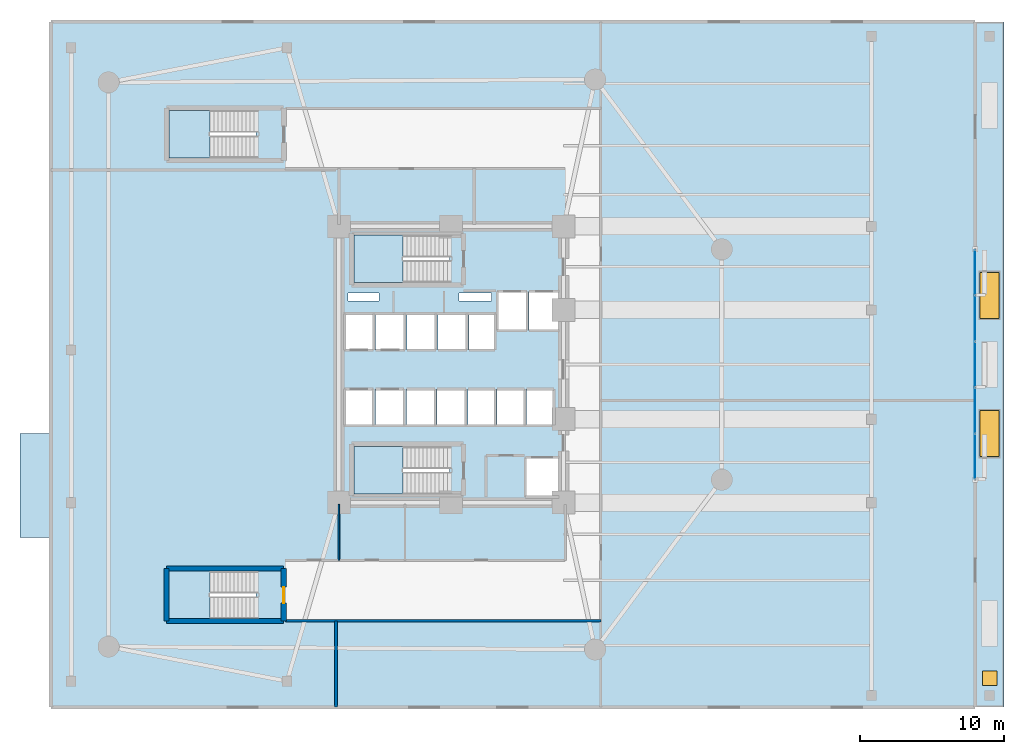
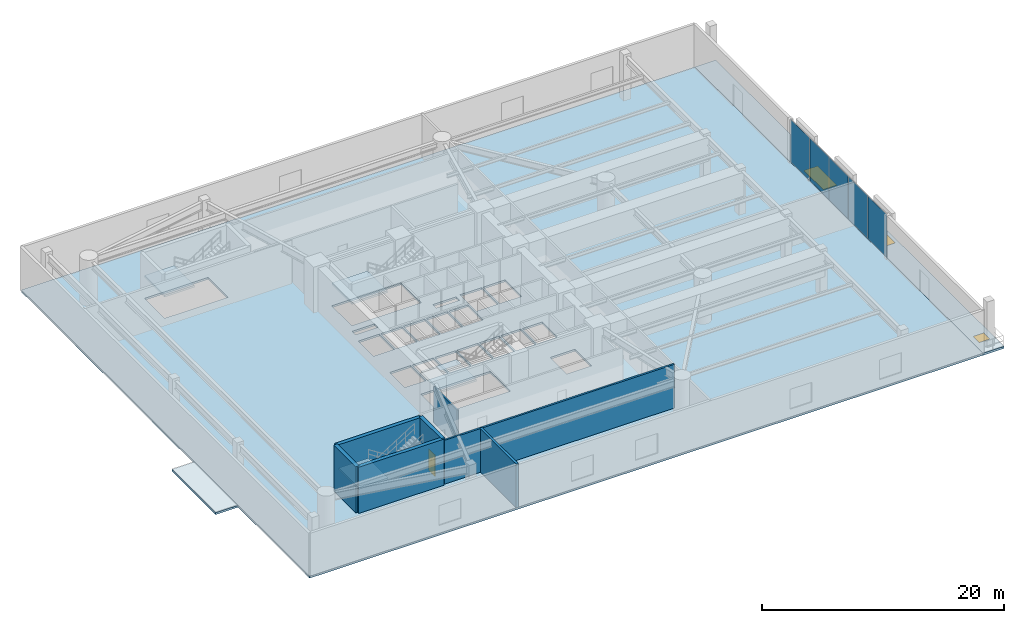
# One storey, part 4 of 11: 7 slabs, 7 walls, 5 plates, 2 doors, 2 windows, 4 openings, 5 elements without a shape of their own.
"""IFC4 building model written with IfcOpenShell, lengths in metres."""

import ifcopenshell
import ifcopenshell.guid

model = None  # the IFC model being written
_history = None  # IfcOwnerHistory: only IFC2X3 demands one
_inside = {}  # id of a spatial element -> (the spatial element, [elements in it])
_under = {}  # id of a project, library or spatial element -> (it, [spatial elements below it])
_declared = {}  # id of a project -> (the project, [libraries it declares])
_typed = {}  # id of a type object -> (the type object, [elements of that type])
_made_of = {}  # id of a material, layer set ... -> (it, [elements and type objects made of it])


def new_model(schema):
    """Start an empty IFC model of exactly this schema.

    Asked for "IFC4X3", IfcOpenShell would pick the latest addendum, in which some entities
    have other attributes; the version numbers below select the first issue.
    IFC2X3 requires an IfcOwnerHistory on every rooted entity: one is made here for all.
    """
    global model, _history
    if schema == "IFC4X3":
        model = ifcopenshell.file(schema_version=(4, 3, 0, 0))
    else:
        model = ifcopenshell.file(schema=schema)
    _inside.clear()
    _under.clear()
    _declared.clear()
    _typed.clear()
    _made_of.clear()
    _history = None
    if model.schema == "IFC2X3":
        org = make("IfcOrganization", Name="unknown")
        user = make(
            "IfcPersonAndOrganization",
            ThePerson=make("IfcPerson", FamilyName="unknown"),
            TheOrganization=org,
        )
        app = make(
            "IfcApplication",
            ApplicationDeveloper=org,
            Version="unknown",
            ApplicationFullName="unknown",
            ApplicationIdentifier="unknown",
        )
        _history = make(
            "IfcOwnerHistory",
            OwningUser=user,
            OwningApplication=app,
            ChangeAction="ADDED",
            CreationDate=0,
        )
    return model


def make(cls, **values):
    """One entity of the class cls with the attributes given. An attribute that is None is left unset."""
    return model.create_entity(
        cls, **{name: value for name, value in values.items() if value is not None}
    )


def rooted(cls, **values):
    """An entity with a GlobalId (a new one), such as an element, a storey or a relation."""
    return make(cls, GlobalId=ifcopenshell.guid.new(), OwnerHistory=_history, **values)


def si_unit(unit_type, name, prefix=None):
    """IfcSIUnit, for example si_unit("LENGTHUNIT", "METRE", prefix="MILLI")."""
    return make("IfcSIUnit", UnitType=unit_type, Prefix=prefix, Name=name)


def assignment(units):
    """IfcUnitAssignment: the units of a project."""
    return None if units is None else make("IfcUnitAssignment", Units=units)


def point(xyz):
    """IfcCartesianPoint."""
    return None if xyz is None else make("IfcCartesianPoint", Coordinates=xyz)


def direction(xyz):
    """IfcDirection."""
    return None if xyz is None else make("IfcDirection", DirectionRatios=xyz)


def frame(location, z_axis=None, x_axis=None):
    """IfcAxis2Placement3D, a coordinate frame: its origin and axes. An axis left out is left unset."""
    return make(
        "IfcAxis2Placement3D",
        Location=point(location),
        Axis=direction(z_axis),
        RefDirection=direction(x_axis),
    )


def frame_2d(location, x_axis=None):
    """IfcAxis2Placement2D, a coordinate frame in the plane: its origin and x axis."""
    return make(
        "IfcAxis2Placement2D", Location=point(location), RefDirection=direction(x_axis)
    )


def origin():
    """The frame at (0, 0, 0) with its axes left unset."""
    return frame((0.0, 0.0, 0.0))


def origin_2d():
    """The frame at (0, 0) in the plane with its x axis left unset."""
    return frame_2d((0.0, 0.0))


def place(relative_to, where):
    """IfcLocalPlacement: puts the frame where relative to a parent placement (None: the world)."""
    return make(
        "IfcLocalPlacement", PlacementRelTo=relative_to, RelativePlacement=where
    )


def context(
    kind, dimensions, precision=None, world=None, true_north=None, identifier=None
):
    """IfcGeometricRepresentationContext, for example the 3D "Model" context."""
    return make(
        "IfcGeometricRepresentationContext",
        ContextIdentifier=identifier,
        ContextType=kind,
        CoordinateSpaceDimension=dimensions,
        Precision=precision,
        WorldCoordinateSystem=world,
        TrueNorth=true_north,
    )


def subcontext(parent, identifier, kind, view, scale=None):
    """IfcGeometricRepresentationSubContext, for example "Body" below "Model"."""
    return make(
        "IfcGeometricRepresentationSubContext",
        ContextIdentifier=identifier,
        ContextType=kind,
        ParentContext=parent,
        TargetScale=scale,
        TargetView=view,
    )


def project(units=None, contexts=None):
    """IfcProject with its units and contexts."""
    return rooted(
        "IfcProject",
        Name="project",
        RepresentationContexts=contexts,
        UnitsInContext=assignment(units),
    )


def spatial(cls, under=None, at=None, **own):
    """A site, building, storey or space (cls), placed at a placement, below another one or the project."""
    s = rooted(cls, ObjectPlacement=at, **own)
    if under is not None:
        _under.setdefault(under.id(), (under, []))[1].append(s)
    return s


def polyline(points):
    """IfcPolyline through the points."""
    return make("IfcPolyline", Points=[point(p) for p in points])


def profile(cls, at=None, kind="AREA", **sizes):
    """A parametric profile (cls). Its sizes go by their IFC names, for example OverallWidth=200.0."""
    return make(cls, ProfileType=kind, Position=at, **sizes)


def rectangle(**sizes):
    """IfcRectangleProfileDef."""
    return profile("IfcRectangleProfileDef", **sizes)


def outline(outer, holes=None, kind="AREA"):
    """IfcArbitraryClosedProfileDef: a profile drawn as a closed curve; with holes, ...WithVoids."""
    if holes is None:
        return make("IfcArbitraryClosedProfileDef", ProfileType=kind, OuterCurve=outer)
    return make(
        "IfcArbitraryProfileDefWithVoids",
        ProfileType=kind,
        OuterCurve=outer,
        InnerCurves=holes,
    )


def extrude(swept, where, along, depth):
    """IfcExtrudedAreaSolid: the profile swept, set in the frame where, extruded along a direction by depth."""
    return make(
        "IfcExtrudedAreaSolid",
        SweptArea=swept,
        Position=where,
        ExtrudedDirection=direction(along),
        Depth=depth,
    )


def shape(context_of_items, identifier, shape_type, items):
    """IfcShapeRepresentation: the items that make up one representation, for example the "Body"."""
    return make(
        "IfcShapeRepresentation",
        ContextOfItems=context_of_items,
        RepresentationIdentifier=identifier,
        RepresentationType=shape_type,
        Items=items,
    )


def material(Name=None, Category=None):
    """IfcMaterial."""
    return make("IfcMaterial", Name=Name, Category=Category)


def layer(
    of_material, thickness, ventilated=None, Name=None, Category=None, Priority=None
):
    """IfcMaterialLayer: one layer of a wall or slab, of a material (None: an air gap)."""
    return make(
        "IfcMaterialLayer",
        Material=of_material,
        LayerThickness=thickness,
        IsVentilated=ventilated,
        Name=Name,
        Category=Category,
        Priority=Priority,
    )


def layer_set(layers, Name=None):
    """IfcMaterialLayerSet."""
    return make("IfcMaterialLayerSet", MaterialLayers=layers, LayerSetName=Name)


def made_of(thing, what):
    """Note that an element or type object is made of a material, layer set ...; save() writes the relation."""
    if what is not None:
        _made_of.setdefault(what.id(), (what, []))[1].append(thing)
    return thing


def type_object(cls, material=None, **own):
    """A type object (cls), such as IfcWallType, which elements share."""
    return made_of(rooted(cls, **own), material)


def element(
    cls,
    number,
    at=None,
    inside=None,
    cuts=None,
    type_object=None,
    material=None,
    context=None,
    identifier="Body",
    shape_type=None,
    held_by="IfcProductDefinitionShape",
    body=None,
    shapes=None,
    **own,
):
    """One element of the class cls, such as IfcWall. Its Tag is "e" and its number.

    at: its placement. inside: the storey or other place that contains it. cuts: it is an
    opening in that element (IfcRelVoidsElement). A single representation is given by context,
    identifier, shape_type and body (its items); several are given by shapes. held_by: the class
    of the entity that holds the representations. save() writes the other relations.
    """
    e = rooted(cls, Tag="e%d" % number, ObjectPlacement=at, **own)
    if body is not None:
        shapes = [shape(context, identifier, shape_type, body)]
    if shapes is not None:
        e.Representation = make(held_by, Representations=shapes)
    if inside is not None:
        _inside.setdefault(inside.id(), (inside, []))[1].append(e)
    if cuts is not None:
        rooted(
            "IfcRelVoidsElement", RelatingBuildingElement=cuts, RelatedOpeningElement=e
        )
    if type_object is not None:
        _typed.setdefault(type_object.id(), (type_object, []))[1].append(e)
    return made_of(e, material)


def fill(opening, filler):
    """IfcRelFillsElement: the door or window that sits in an opening."""
    return rooted(
        "IfcRelFillsElement",
        RelatingOpeningElement=opening,
        RelatedBuildingElement=filler,
    )


def aggregate(whole, parts):
    """IfcRelAggregates: a whole, such as a stair, and the parts it consists of."""
    return rooted("IfcRelAggregates", RelatingObject=whole, RelatedObjects=parts)


def save(model, path):
    """Write the relations noted so far, then the file.

    IfcRelAggregates (storeys below a building ...), IfcRelContainedInSpatialStructure (elements
    in a storey), IfcRelDefinesByType, IfcRelAssociatesMaterial and IfcRelDeclares: one each for
    every whole, place, type object, material and project.
    """
    for whole, parts in _under.values():
        aggregate(whole, parts)
    for where, things in _inside.values():
        rooted(
            "IfcRelContainedInSpatialStructure",
            RelatedElements=things,
            RelatingStructure=where,
        )
    for kind, things in _typed.values():
        rooted("IfcRelDefinesByType", RelatedObjects=things, RelatingType=kind)
    for what, things in _made_of.values():
        rooted("IfcRelAssociatesMaterial", RelatedObjects=things, RelatingMaterial=what)
    for by, libraries in _declared.values():
        rooted("IfcRelDeclares", RelatingContext=by, RelatedDefinitions=libraries)
    model.write(path)


model = new_model("IFC4")

# Units and contexts
model_context = context("Model", 3, precision=1e-05, world=origin(), true_north=direction((0.0, 1.0)))
body_context = subcontext(model_context, "Body", "Model", "MODEL_VIEW")
ifc_project = project(units=[si_unit("LENGTHUNIT", "METRE"), si_unit("AREAUNIT", "SQUARE_METRE"), si_unit("VOLUMEUNIT", "CUBIC_METRE"), si_unit("PLANEANGLEUNIT", "RADIAN"), si_unit("MASSUNIT", "GRAM", prefix="KILO")], contexts=[model_context])

# Site, building, storey
site_placement = place(None, origin())
site = spatial("IfcSite", under=ifc_project, at=site_placement, CompositionType="ELEMENT")
building_placement = place(site_placement, origin())
building = spatial("IfcBuilding", under=site, at=building_placement, Name="An Khanh Terracotta Commons", CompositionType="ELEMENT")
storey_placement = place(building_placement, frame((0.0, 0.0, 19.35009765625)))
storey = spatial("IfcBuildingStorey", under=building, at=storey_placement, Name="L05", CompositionType="ELEMENT", Elevation=19.35009765625)

# Curtain wall, plates
ifc_material_1 = material(Name="Anodised Aluminium 6063-T6", Category="aluminium")
ifc_layer_1 = layer(ifc_material_1, 0.179931640625, Name="Anodised Aluminium 6063-T6")
ifc_layer_set_1 = layer_set([ifc_layer_1], Name="Anodised Aluminium 6063-T6")
curtain_wall_type = type_object("IfcCurtainWallType", Name="CW-SYS-01", PredefinedType="USERDEFINED", material=ifc_layer_set_1)
curtain_wall_placement = place(storey_placement, origin())
curtain_wall = element("IfcCurtainWall", 1, at=curtain_wall_placement, inside=storey, type_object=curtain_wall_type, Name="L05 CW-01 Unitised Curtain Wall CW-L05-EAST", ObjectType="UNITISED CURTAIN WALL", PredefinedType="USERDEFINED")
ifc_material_2 = material(Name="Double Low-E Podium Glazing", Category="glass")
ifc_layer_2 = layer(ifc_material_2, 0.031982421875, Name="Double Low-E Podium Glazing")
ifc_layer_set_2 = layer_set([ifc_layer_2], Name="Double Low-E Podium Glazing")
plate_type = type_object("IfcPlateType", Name="CWP-IGU-32", PredefinedType="CURTAIN_PANEL", material=ifc_layer_set_2)
plate_1_placement = place(storey_placement, frame((65.800048828125, 17.6162109375, 0.059814453125), z_axis=(0.0, 0.0, 1.0), x_axis=(0.0, 1.0, 0.0)))
plate_1 = element("IfcPlate", 2, at=plate_1_placement, type_object=plate_type, Name="CW-01 panel 1.1", PredefinedType="CURTAIN_PANEL", context=body_context, shape_type="SweptSolid", body=[
    extrude(rectangle(XDim=3.1025390625, YDim=0.031982421875, at=origin_2d()), origin(), (0.0, 0.0, 1.0), 4.2900390625),
])
plate_2_placement = place(storey_placement, frame((65.800048828125, 20.800048828125, 0.059814453125), z_axis=(0.0, 0.0, 1.0), x_axis=(0.0, 1.0, 0.0)))
plate_2 = element("IfcPlate", 3, at=plate_2_placement, type_object=plate_type, Name="CW-01 panel 2.1", PredefinedType="CURTAIN_PANEL", context=body_context, shape_type="SweptSolid", body=[
    extrude(rectangle(XDim=3.135009765625, YDim=0.031982421875, at=origin_2d()), origin(), (0.0, 0.0, 1.0), 4.2900390625),
])
plate_3_placement = place(storey_placement, frame((65.800048828125, 24.0, 0.059814453125), z_axis=(0.0, 0.0, 1.0), x_axis=(0.0, 1.0, 0.0)))
plate_3 = element("IfcPlate", 4, at=plate_3_placement, type_object=plate_type, Name="CW-01 panel 3.1", PredefinedType="CURTAIN_PANEL", context=body_context, shape_type="SweptSolid", body=[
    extrude(rectangle(XDim=3.135009765625, YDim=0.031982421875, at=origin_2d()), origin(), (0.0, 0.0, 1.0), 4.2900390625),
])
plate_4_placement = place(storey_placement, frame((65.800048828125, 27.199951171875, 0.059814453125), z_axis=(0.0, 0.0, 1.0), x_axis=(0.0, 1.0, 0.0)))
plate_4 = element("IfcPlate", 5, at=plate_4_placement, type_object=plate_type, Name="CW-01 panel 4.1", PredefinedType="CURTAIN_PANEL", context=body_context, shape_type="SweptSolid", body=[
    extrude(rectangle(XDim=3.135009765625, YDim=0.031982421875, at=origin_2d()), origin(), (0.0, 0.0, 1.0), 4.2900390625),
])
plate_5_placement = place(storey_placement, frame((65.800048828125, 30.3837890625, 0.059814453125), z_axis=(0.0, 0.0, 1.0), x_axis=(0.0, 1.0, 0.0)))
plate_5 = element("IfcPlate", 6, at=plate_5_placement, type_object=plate_type, Name="CW-01 panel 5.1", PredefinedType="CURTAIN_PANEL", context=body_context, shape_type="SweptSolid", body=[
    extrude(rectangle(XDim=3.1025390625, YDim=0.031982421875, at=origin_2d()), origin(), (0.0, 0.0, 1.0), 4.2900390625),
])
aggregate(curtain_wall, [plate_1, plate_2, plate_3, plate_4, plate_5])

# Slab
ifc_material_3 = material(Name="Concrete C40/50", Category="concrete")
ifc_layer_3 = layer(ifc_material_3, 0.22998046875, Name="Concrete C40/50")
ifc_layer_set_3 = layer_set([ifc_layer_3], Name="Concrete C40/50")
slab_type_1 = type_object("IfcSlabType", Name="SLAB-BOXROOF-230", PredefinedType="ROOF", material=ifc_layer_set_3)
slab_1_placement = place(storey_placement, frame((0.0, 0.0, -0.2001953125)))
element("IfcSlab", 7, at=slab_1_placement, inside=storey, type_object=slab_type_1, Name="L05 Shifted Social Kitchen Box Closing Roof Slab (L04)", PredefinedType="ROOF", context=body_context, shape_type="SweptSolid", body=[
    extrude(outline(polyline([(-0.550048828125, 12.0), (1.60009765625, 12.0), (1.60009765625, 19.199951171875), (-0.550048828125, 19.199951171875), (-0.550048828125, 12.0)])), origin(), (0.0, 0.0, 1.0), 0.2001953125),
])

# Stair, slab
ifc_material_4 = material(Name="Precast concrete C40/50", Category="concrete")
stair_type_1 = type_object("IfcStairType", Name="STAIR-CORE-1550", PredefinedType="HALF_TURN_STAIR", material=ifc_material_4)
stair_1_placement = place(storey_placement, origin())
stair_1 = element("IfcStair", 8, at=stair_1_placement, inside=storey, type_object=stair_type_1, Name="L05 Core Smokeproof Exit Stair ST-01", PredefinedType="HALF_TURN_STAIR")
ifc_layer_4 = layer(ifc_material_3, 0.18994140625, Name="Concrete C40/50")
ifc_layer_set_4 = layer_set([ifc_layer_4], Name="Concrete C40/50")
slab_type_2 = type_object("IfcSlabType", Name="SLAB-LANDING-190", PredefinedType="LANDING", material=ifc_layer_set_4)
slab_2_placement = place(storey_placement, frame((0.0, 0.0, 2.125)))
slab_2 = element("IfcSlab", 9, at=slab_2_placement, type_object=slab_type_2, Name="ST-01 landing 1", PredefinedType="LANDING", context=body_context, shape_type="SweptSolid", body=[
    extrude(outline(polyline([(26.050048828125, 33.0), (22.64990234375, 33.0), (22.64990234375, 29.699951171875), (26.050048828125, 29.699951171875), (26.050048828125, 33.0)])), origin(), (0.0, 0.0, 1.0), 0.199951171875),
])
aggregate(stair_1, [slab_2])

stair_2_placement = place(storey_placement, origin())
stair_2 = element("IfcStair", 10, at=stair_2_placement, inside=storey, type_object=stair_type_1, Name="L05 Core Smokeproof Exit Stair ST-02", PredefinedType="HALF_TURN_STAIR")
slab_3_placement = place(storey_placement, frame((0.0, 0.0, 2.125)))
slab_3 = element("IfcSlab", 11, at=slab_3_placement, type_object=slab_type_2, Name="ST-02 landing 1", PredefinedType="LANDING", context=body_context, shape_type="SweptSolid", body=[
    extrude(outline(polyline([(26.050048828125, 18.300048828125), (22.64990234375, 18.300048828125), (22.64990234375, 15.0), (26.050048828125, 15.0), (26.050048828125, 18.300048828125)])), origin(), (0.0, 0.0, 1.0), 0.199951171875),
])
aggregate(stair_2, [slab_3])

stair_type_2 = type_object("IfcStairType", Name="STAIR-POD-1550", PredefinedType="HALF_TURN_STAIR", material=ifc_material_3)
stair_3_placement = place(storey_placement, origin())
stair_3 = element("IfcStair", 12, at=stair_3_placement, inside=storey, type_object=stair_type_2, Name="L05 Podium Commons Exit Stair ST-P1", PredefinedType="HALF_TURN_STAIR")
slab_4_placement = place(storey_placement, frame((0.0, 0.0, 2.125)))
slab_4 = element("IfcSlab", 13, at=slab_4_placement, type_object=slab_type_2, Name="ST-P1 landing 1", PredefinedType="LANDING", context=body_context, shape_type="SweptSolid", body=[
    extrude(outline(polyline([(12.639892578125, 9.64990234375), (9.800048828125, 9.64990234375), (9.800048828125, 6.35009765625), (12.639892578125, 6.35009765625), (12.639892578125, 9.64990234375)])), origin(), (0.0, 0.0, 1.0), 0.199951171875),
])
aggregate(stair_3, [slab_4])

stair_4_placement = place(storey_placement, origin())
stair_4 = element("IfcStair", 14, at=stair_4_placement, inside=storey, type_object=stair_type_2, Name="L05 Podium Commons Exit Stair ST-P2", PredefinedType="HALF_TURN_STAIR")
slab_5_placement = place(storey_placement, frame((0.0, 0.0, 2.125)))
slab_5 = element("IfcSlab", 15, at=slab_5_placement, type_object=slab_type_2, Name="ST-P2 landing 1", PredefinedType="LANDING", context=body_context, shape_type="SweptSolid", body=[
    extrude(outline(polyline([(12.639892578125, 41.64990234375), (9.800048828125, 41.64990234375), (9.800048828125, 38.35009765625), (12.639892578125, 38.35009765625), (12.639892578125, 41.64990234375)])), origin(), (0.0, 0.0, 1.0), 0.199951171875),
])
aggregate(stair_4, [slab_5])

# Slab
ifc_layer_5 = layer(ifc_material_3, 0.219970703125, Name="Concrete C40/50")
ifc_layer_set_5 = layer_set([ifc_layer_5], Name="Concrete C40/50")
slab_type_3 = type_object("IfcSlabType", Name="SLAB-POD-220", PredefinedType="FLOOR", material=ifc_layer_set_5)
slab_6_placement = place(storey_placement, frame((0.0, 0.0, -0.2001953125)))
element("IfcSlab", 16, at=slab_6_placement, inside=storey, type_object=slab_type_3, Name="L05 Structural Floor Slab", PredefinedType="FLOOR", context=body_context, shape_type="SweptSolid", body=[
    extrude(outline(polyline([(1.60009765625, 0.199951171875), (65.800048828125, 0.199951171875), (65.800048828125, 47.800048828125), (1.60009765625, 47.800048828125), (1.60009765625, 0.199951171875)]), holes=[polyline([(22.64990234375, 29.699951171875), (29.27001953125, 29.699951171875), (29.27001953125, 33.0), (22.64990234375, 33.0), (22.64990234375, 29.699951171875)]), polyline([(22.64990234375, 15.0), (29.27001953125, 15.0), (29.27001953125, 18.300048828125), (22.64990234375, 18.300048828125), (22.64990234375, 15.0)]), polyline([(9.800048828125, 6.35009765625), (15.860107421875, 6.35009765625), (15.860107421875, 9.64990234375), (9.800048828125, 9.64990234375), (9.800048828125, 6.35009765625)]), polyline([(9.800048828125, 38.35009765625), (15.860107421875, 38.35009765625), (15.860107421875, 41.64990234375), (9.800048828125, 41.64990234375), (9.800048828125, 38.35009765625)]), polyline([(32.60009765625, 26.35009765625), (34.679931640625, 26.35009765625), (34.679931640625, 29.080078125), (32.60009765625, 29.080078125), (32.60009765625, 26.35009765625)]), polyline([(34.820068359375, 26.35009765625), (36.89990234375, 26.35009765625), (36.89990234375, 29.080078125), (34.820068359375, 29.080078125), (34.820068359375, 26.35009765625)]), polyline([(34.550048828125, 14.800048828125), (36.89990234375, 14.800048828125), (36.89990234375, 17.550048828125), (34.550048828125, 17.550048828125), (34.550048828125, 14.800048828125)]), polyline([(22.0, 25.0), (24.02001953125, 25.0), (24.02001953125, 27.5), (22.0, 27.5), (22.0, 25.0)]), polyline([(24.159912109375, 25.0), (26.179931640625, 25.0), (26.179931640625, 27.5), (24.159912109375, 27.5), (24.159912109375, 25.0)]), polyline([(22.0, 19.800048828125), (24.0, 19.800048828125), (24.0, 22.300048828125), (22.0, 22.300048828125), (22.0, 19.800048828125)]), polyline([(24.139892578125, 19.800048828125), (26.139892578125, 19.800048828125), (26.139892578125, 22.300048828125), (24.139892578125, 22.300048828125), (24.139892578125, 19.800048828125)]), polyline([(26.320068359375, 25.0), (28.340087890625, 25.0), (28.340087890625, 27.5), (26.320068359375, 27.5), (26.320068359375, 25.0)]), polyline([(28.47998046875, 25.0), (30.5, 25.0), (30.5, 27.5), (28.47998046875, 27.5), (28.47998046875, 25.0)]), polyline([(26.280029296875, 19.800048828125), (28.280029296875, 19.800048828125), (28.280029296875, 22.300048828125), (26.280029296875, 22.300048828125), (26.280029296875, 19.800048828125)]), polyline([(28.419921875, 19.800048828125), (30.419921875, 19.800048828125), (30.419921875, 22.300048828125), (28.419921875, 22.300048828125), (28.419921875, 19.800048828125)]), polyline([(30.639892578125, 25.0), (32.4599609375, 25.0), (32.4599609375, 27.5), (30.639892578125, 27.5), (30.639892578125, 25.0)]), polyline([(30.56005859375, 19.800048828125), (32.4599609375, 19.800048828125), (32.4599609375, 22.300048828125), (30.56005859375, 22.300048828125), (30.56005859375, 19.800048828125)]), polyline([(32.60009765625, 19.800048828125), (34.5, 19.800048828125), (34.5, 22.300048828125), (32.60009765625, 22.300048828125), (32.60009765625, 19.800048828125)]), polyline([(34.639892578125, 19.800048828125), (36.5400390625, 19.800048828125), (36.5400390625, 22.300048828125), (34.639892578125, 22.300048828125), (34.639892578125, 19.800048828125)]), polyline([(22.25, 28.419921875), (24.39990234375, 28.419921875), (24.39990234375, 28.97998046875), (22.25, 28.97998046875), (22.25, 28.419921875)]), polyline([(29.949951171875, 28.419921875), (32.199951171875, 28.419921875), (32.199951171875, 28.97998046875), (29.949951171875, 28.97998046875), (29.949951171875, 28.419921875)])]), origin(), (0.0, 0.0, 1.0), 0.2001953125),
])

# Slab, openings, door, windows
ifc_layer_6 = layer(ifc_material_3, 0.2099609375, Name="Concrete C40/50")
ifc_layer_set_6 = layer_set([ifc_layer_6], Name="Concrete C40/50")
slab_type_4 = type_object("IfcSlabType", Name="SLAB-TERR-210", PredefinedType="ROOF", material=ifc_layer_set_6)
slab_7_placement = place(storey_placement, frame((0.0, 0.0, -0.210205078125)))
slab_7 = element("IfcSlab", 17, at=slab_7_placement, inside=storey, type_object=slab_type_4, Name="L05 Cascading Garden Terrace Roof Slab", PredefinedType="ROOF", context=body_context, shape_type="SweptSolid", body=[
    extrude(outline(polyline([(65.800048828125, 0.199951171875), (67.800048828125, 0.199951171875), (67.800048828125, 47.800048828125), (65.800048828125, 47.800048828125), (65.800048828125, 0.199951171875)])), origin(), (0.0, 0.0, 1.0), 0.210205078125),
])
opening_1_placement = place(slab_7_placement, frame((66.800048828125, 19.199951171875, 0.0)))
opening_1 = element("IfcOpeningElement", 18, at=opening_1_placement, cuts=slab_7, Name="Opening SK-04", PredefinedType="OPENING", context=body_context, shape_type="SweptSolid", body=[
    extrude(rectangle(XDim=1.300048828125, YDim=3.199951171875, at=origin_2d()), frame((0.0, 0.0, -0.010009765625)), (0.0, 0.0, 1.0), 0.230224609375),
])
opening_2_placement = place(slab_7_placement, frame((66.800048828125, 28.800048828125, 0.0)))
opening_2 = element("IfcOpeningElement", 19, at=opening_2_placement, cuts=slab_7, Name="Opening SK-04", PredefinedType="OPENING", context=body_context, shape_type="SweptSolid", body=[
    extrude(rectangle(XDim=1.300048828125, YDim=3.199951171875, at=origin_2d()), frame((0.0, 0.0, -0.010009765625)), (0.0, 0.0, 1.0), 0.230224609375),
])
opening_3_placement = place(slab_7_placement, frame((66.800048828125, 2.199951171875, 0.0)))
opening_3 = element("IfcOpeningElement", 20, at=opening_3_placement, cuts=slab_7, Name="Opening RH-01", PredefinedType="OPENING", context=body_context, shape_type="SweptSolid", body=[
    extrude(rectangle(XDim=1.0, YDim=1.0, at=origin_2d()), frame((0.0, 0.0, -0.010009765625)), (0.0, 0.0, 1.0), 0.230224609375),
])
ifc_material_5 = material(Name="Insulated Marine-Grade Aluminium", Category="aluminium")
door_type_1 = type_object("IfcDoorType", Name="HATCH-ROOF-1000", OperationType="NOTDEFINED", PredefinedType="TRAPDOOR", material=ifc_material_5)
door_1_placement = place(opening_3_placement, frame((0.0, 0.0, 0.16015625)))
door_1 = element("IfcDoor", 21, at=door_1_placement, inside=storey, type_object=door_type_1, Name="L05 Terrace Services Access Hatch", OperationType="SINGLE_SWING_LEFT", OverallHeight=1.0, OverallWidth=1.0, PredefinedType="TRAPDOOR", context=body_context, shape_type="SweptSolid", body=[
    extrude(rectangle(XDim=1.0, YDim=1.0, at=origin_2d()), origin(), (0.0, 0.0, 1.0), 0.050048828125),
])
fill(opening_3, door_1)
ifc_material_6 = material(Name="Laminated Solar-Control Skylight Glazing", Category="glass")
window_type = type_object("IfcWindowType", Name="SKY-2000x3200", PartitioningType="SINGLE_PANEL", PredefinedType="SKYLIGHT", material=ifc_material_6)
window_1_placement = place(opening_1_placement, frame((0.0, 0.0, 0.16015625)))
window_1 = element("IfcWindow", 22, at=window_1_placement, inside=storey, type_object=window_type, Name="L05 Cascading Terrace Rooflight 1", OverallHeight=3.199951171875, OverallWidth=1.300048828125, PartitioningType="SINGLE_PANEL", PredefinedType="SKYLIGHT", context=body_context, shape_type="SweptSolid", body=[
    extrude(rectangle(XDim=1.300048828125, YDim=3.199951171875, at=origin_2d()), origin(), (0.0, 0.0, 1.0), 0.050048828125),
])
fill(opening_1, window_1)
window_2_placement = place(opening_2_placement, frame((0.0, 0.0, 0.16015625)))
window_2 = element("IfcWindow", 23, at=window_2_placement, inside=storey, type_object=window_type, Name="L05 Cascading Terrace Rooflight 2", OverallHeight=3.199951171875, OverallWidth=1.300048828125, PartitioningType="SINGLE_PANEL", PredefinedType="SKYLIGHT", context=body_context, shape_type="SweptSolid", body=[
    extrude(rectangle(XDim=1.300048828125, YDim=3.199951171875, at=origin_2d()), origin(), (0.0, 0.0, 1.0), 0.050048828125),
])
fill(opening_2, window_2)

# Walls
ifc_material_7 = material(Name="Fire-Rated Gypsum Board on Steel Stud", Category="steel")
ifc_layer_7 = layer(ifc_material_7, 0.179931640625, Name="Fire-Rated Gypsum Board on Steel Stud")
ifc_layer_set_7 = layer_set([ifc_layer_7], Name="Fire-Rated Gypsum Board on Steel Stud")
wall_type_1 = type_object("IfcWallType", Name="WALL-CORR-180", PredefinedType="PARTITIONING", material=ifc_layer_set_7)
wall_1_placement = place(storey_placement, frame((17.889892578125, 6.199951171875, 0.0), z_axis=(0.0, 0.0, 1.0), x_axis=(1.0, 0.0, 0.0)))
element("IfcWall", 24, at=wall_1_placement, inside=storey, type_object=wall_type_1, Name="L05 Interior Partition IW-L05-E001", PredefinedType="PARTITIONING", context=body_context, shape_type="SweptSolid", body=[
    extrude(rectangle(XDim=21.91015625, YDim=0.179931640625, at=frame_2d((10.955078125, 0.0))), origin(), (0.0, 0.0, 1.0), 4.409912109375),
])
ifc_material_8 = material(Name="Acoustic Double-Stud Gypsum and Mineral Wool")
ifc_layer_8 = layer(ifc_material_8, 0.219970703125, Name="Acoustic Double-Stud Gypsum and Mineral Wool")
ifc_layer_set_8 = layer_set([ifc_layer_8], Name="Acoustic Double-Stud Gypsum and Mineral Wool")
wall_type_2 = type_object("IfcWallType", Name="WALL-PARTY-220", PredefinedType="PARTITIONING", material=ifc_layer_set_8)
wall_2_placement = place(storey_placement, frame((21.39990234375, 0.199951171875, 0.0), z_axis=(0.0, 0.0, 1.0), x_axis=(0.0, 1.0, 0.0)))
element("IfcWall", 25, at=wall_2_placement, inside=storey, type_object=wall_type_2, Name="L05 Interior Partition IW-L05-E007", PredefinedType="PARTITIONING", context=body_context, shape_type="SweptSolid", body=[
    extrude(rectangle(XDim=6.0, YDim=0.219970703125, at=frame_2d((3.0, 0.0))), origin(), (0.0, 0.0, 1.0), 4.409912109375),
])
ifc_material_9 = material(Name="Concrete C50/60", Category="concrete")
ifc_layer_9 = layer(ifc_material_9, 0.35009765625, Name="Concrete C50/60")
ifc_layer_set_9 = layer_set([ifc_layer_9], Name="Concrete C50/60")
wall_type_3 = type_object("IfcWallType", Name="WALL-SHAFT-350", PredefinedType="SOLIDWALL", material=ifc_layer_set_9)
wall_3_placement = place(storey_placement, frame((9.6298828125, 6.179931640625, 0.0), z_axis=(0.0, 0.0, 1.0), x_axis=(0.0, 1.0, 0.0)))
element("IfcWall", 26, at=wall_3_placement, inside=storey, type_object=wall_type_3, Name="L05 Podium Stair ST-P1 W Wall", PredefinedType="SOLIDWALL", context=body_context, shape_type="SweptSolid", body=[
    extrude(rectangle(XDim=3.64013671875, YDim=0.35009765625, at=frame_2d((1.820068359375, 0.0))), origin(), (0.0, 0.0, 1.0), 4.64990234375),
])
for number, where, z_axis, x_axis, name in (
    (27, (9.6298828125, 9.820068359375, 0.0), (0.0, 0.0, 1.0), (1.0, 0.0, 0.0), "L05 Podium Stair ST-P1 N Wall"),
    (28, (17.77001953125, 6.179931640625, 0.0), (0.0, 0.0, 1.0), (-1.0, 0.0, 0.0), "L05 Podium Stair ST-P1 S Wall"),
):
    element("IfcWall", number, at=place(storey_placement, frame(where, z_axis=z_axis, x_axis=x_axis)), inside=storey, type_object=wall_type_3, Name=name, PredefinedType="SOLIDWALL", context=body_context, shape_type="SweptSolid", body=[
        extrude(rectangle(XDim=8.14013671875, YDim=0.35009765625, at=frame_2d((4.070068359375, 0.0))), origin(), (0.0, 0.0, 1.0), 4.64990234375),
    ])

# Wall, opening, door
wall_4_placement = place(storey_placement, frame((17.77001953125, 6.179931640625, 0.0), z_axis=(0.0, 0.0, 1.0), x_axis=(0.0, 1.0, 0.0)))
wall_4 = element("IfcWall", 29, at=wall_4_placement, inside=storey, type_object=wall_type_3, Name="L05 Podium Stair ST-P1 E Wall", PredefinedType="SOLIDWALL", context=body_context, shape_type="SweptSolid", body=[
    extrude(rectangle(XDim=3.64013671875, YDim=0.35009765625, at=frame_2d((1.820068359375, 0.0))), origin(), (0.0, 0.0, 1.0), 4.64990234375),
])
opening_4_placement = place(wall_4_placement, frame((1.25, 0.0, 0.0)))
opening_4 = element("IfcOpeningElement", 30, at=opening_4_placement, cuts=wall_4, Name="Opening D-ST", PredefinedType="OPENING", context=body_context, shape_type="SweptSolid", body=[
    extrude(rectangle(XDim=1.10009765625, YDim=2.14990234375, at=frame_2d((0.550048828125, 1.074951171875))), frame((0.0, 0.18505859375, 0.0), z_axis=(0.0, -1.0, 0.0), x_axis=(1.0, 0.0, 0.0)), (0.0, 0.0, 1.0), 0.3701171875),
])
ifc_material_10 = material(Name="Fire-Rated Steel Leaf and Frame", Category="steel")
door_type_2 = type_object("IfcDoorType", Name="DOOR-STAIR-1100", OperationType="NOTDEFINED", PredefinedType="DOOR", material=ifc_material_10)
door_2_placement = place(opening_4_placement, origin())
door_2 = element("IfcDoor", 31, at=door_2_placement, inside=storey, type_object=door_type_2, Name="L05 Podium Stair ST-P1 Fire Door", OperationType="SINGLE_SWING_LEFT", OverallHeight=2.14990234375, OverallWidth=1.10009765625, PredefinedType="DOOR", context=body_context, shape_type="SweptSolid", body=[
    extrude(rectangle(XDim=1.10009765625, YDim=2.14990234375, at=frame_2d((0.550048828125, 1.074951171875))), frame((0.0, 0.02490234375, 0.0), z_axis=(0.0, -1.0, 0.0), x_axis=(1.0, 0.0, 0.0)), (0.0, 0.0, 1.0), 0.050048828125),
])
fill(opening_4, door_2)

# Wall
ifc_material_11 = material(Name="Moisture-Resistant Cement Board Partition")
ifc_layer_10 = layer(ifc_material_11, 0.1201171875, Name="Moisture-Resistant Cement Board Partition")
ifc_layer_set_10 = layer_set([ifc_layer_10], Name="Moisture-Resistant Cement Board Partition")
wall_type_4 = type_object("IfcWallType", Name="WALL-WET-120", PredefinedType="PARTITIONING", material=ifc_layer_set_10)
wall_5_placement = place(storey_placement, frame((21.60009765625, 10.39990234375, 0.0), z_axis=(0.0, 0.0, 1.0), x_axis=(0.0, 1.0, 0.0)))
element("IfcWall", 32, at=wall_5_placement, inside=storey, type_object=wall_type_4, Name="L05 Interior Partition IW-L05-E008", PredefinedType="PARTITIONING", context=body_context, shape_type="SweptSolid", body=[
    extrude(rectangle(XDim=3.880126953125, YDim=0.1201171875, at=frame_2d((1.93994140625, 0.0))), origin(), (0.0, 0.0, 1.0), 3.591796875),
])

save(model, "model.ifc")
